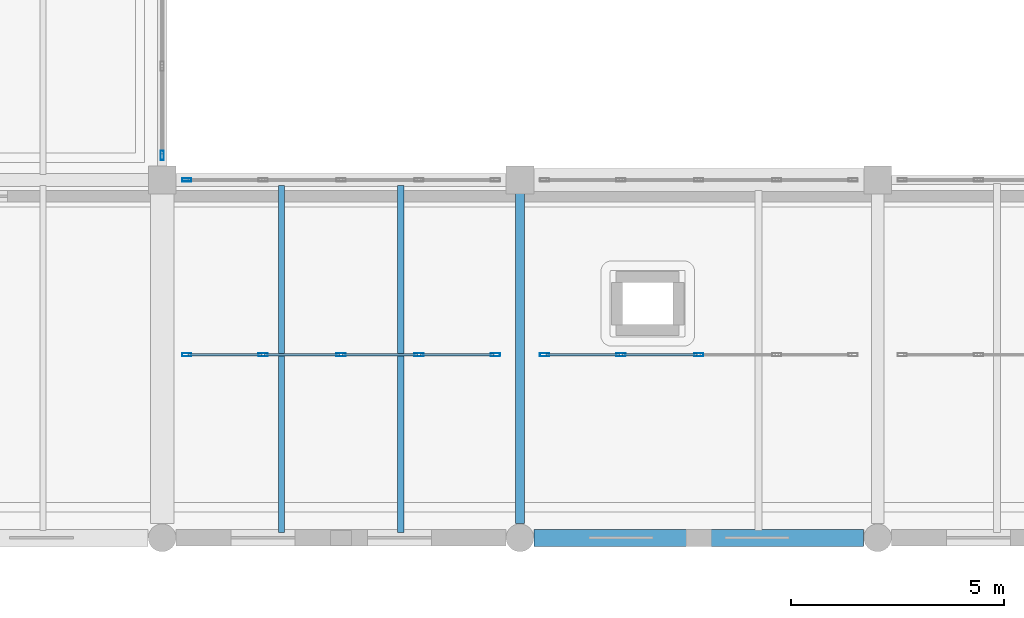
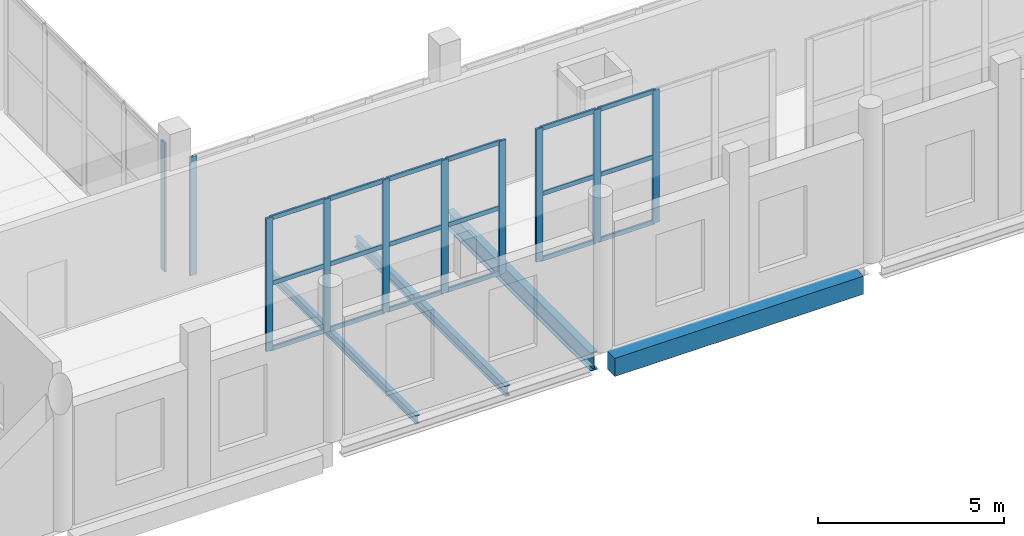
# One storey, part 17 of 73: 28 members, 4 beams, 4 elements without a shape of their own.
"""IFC4 building model written with IfcOpenShell, lengths in metres."""

from ifc_helpers import new_model, si_unit, direction, frame, origin, origin_2d, place, context, subcontext, project, spatial, rectangle, hollow_rectangle, i_section, extrude, material, layer, layer_set, material_profile, profile_set, type_object, element, aggregate, save


model = new_model("IFC4")

# Units and contexts
model_context = context("Model", 3, precision=1e-05, world=origin(), true_north=direction((0.0, 1.0)))
body_context = subcontext(model_context, "Body", "Model", "MODEL_VIEW")
ifc_project = project(units=[si_unit("LENGTHUNIT", "METRE"), si_unit("AREAUNIT", "SQUARE_METRE"), si_unit("VOLUMEUNIT", "CUBIC_METRE"), si_unit("PLANEANGLEUNIT", "RADIAN"), si_unit("MASSUNIT", "GRAM", prefix="KILO")], contexts=[model_context])

# Site, building, storey
site_placement = place(None, origin())
site = spatial("IfcSite", under=ifc_project, at=site_placement, CompositionType="ELEMENT")
building_placement = place(site_placement, origin())
building = spatial("IfcBuilding", under=site, at=building_placement, Name="Zulmaris Art Gallery", CompositionType="ELEMENT")
storey_placement = place(building_placement, frame((0.0, 0.0, 10.5)))
storey = spatial("IfcBuildingStorey", under=building, at=storey_placement, Name="L02", CompositionType="ELEMENT", Elevation=10.5)

# Beams
ifc_material_1 = material(Name="Steel S355J2", Category="steel")
ifc_material_profile_1 = material_profile(ifc_material_1, i_section(OverallWidth=0.219970703125, OverallDepth=0.60009765625, WebThickness=0.011962890625, FlangeThickness=0.01904296875, FilletRadius=0.02392578125, at=origin_2d()), Name="IPE 600")
ifc_profile_set_1 = profile_set([ifc_material_profile_1], Name="Steel S355J2")
beam_type_1 = type_object("IfcBeamType", Name="BEAM-BM07", PredefinedType="BEAM", material=ifc_profile_set_1)
beam_1_placement = place(storey_placement, frame((99.60009765625, 13.534912109375, -0.699951171875), z_axis=(0.0, 1.0, 0.0), x_axis=(-1.0, 0.0, 0.0)))
element("IfcBeam", 1, at=beam_1_placement, inside=storey, type_object=beam_type_1, Name="L02 Y-girder (x=99.6, 13.2..21.6)", PredefinedType="BEAM", context=body_context, shape_type="SweptSolid", body=[
    extrude(i_section(OverallWidth=0.219970703125, OverallDepth=0.60009765625, WebThickness=0.011962890625, FlangeThickness=0.01904296875, FilletRadius=0.02392578125, at=origin_2d()), origin(), (0.0, 0.0, 1.0), 7.755126953125),
])
ifc_material_profile_2 = material_profile(ifc_material_1, i_section(OverallWidth=0.135009765625, OverallDepth=0.27001953125, WebThickness=0.006591796875, FlangeThickness=0.01025390625, FilletRadius=0.014892578125, at=origin_2d()), Name="IPE 270")
ifc_profile_set_2 = profile_set([ifc_material_profile_2], Name="Steel S355J2")
beam_type_2 = type_object("IfcBeamType", Name="BEAM-JS02", PredefinedType="JOIST", material=ifc_profile_set_2)
beam_2_placement = place(storey_placement, frame((94.0, 13.324951171875, -0.534912109375), z_axis=(0.0, 1.0, 0.0), x_axis=(-1.0, 0.0, 0.0)))
element("IfcBeam", 2, at=beam_2_placement, inside=storey, type_object=beam_type_2, Name="L02 secondary joist at x=94.0", PredefinedType="JOIST", context=body_context, shape_type="SweptSolid", body=[
    extrude(i_section(OverallWidth=0.135009765625, OverallDepth=0.27001953125, WebThickness=0.006591796875, FlangeThickness=0.01025390625, FilletRadius=0.014892578125, at=origin_2d()), origin(), (0.0, 0.0, 1.0), 8.150146484375),
])
ifc_material_profile_3 = material_profile(ifc_material_1, i_section(OverallWidth=0.159912109375, OverallDepth=0.330078125, WebThickness=0.007568359375, FlangeThickness=0.011474609375, FilletRadius=0.01806640625, at=origin_2d()), Name="IPE 330")
ifc_profile_set_3 = profile_set([ifc_material_profile_3], Name="Steel S355J2")
beam_type_3 = type_object("IfcBeamType", Name="BEAM-JS03", PredefinedType="JOIST", material=ifc_profile_set_3)
beam_3_placement = place(storey_placement, frame((96.800048828125, 13.324951171875, -0.56494140625), z_axis=(0.0, 1.0, 0.0), x_axis=(-1.0, 0.0, 0.0)))
element("IfcBeam", 3, at=beam_3_placement, inside=storey, type_object=beam_type_3, Name="L02 secondary joist at x=96.8", PredefinedType="JOIST", context=body_context, shape_type="SweptSolid", body=[
    extrude(i_section(OverallWidth=0.159912109375, OverallDepth=0.330078125, WebThickness=0.007568359375, FlangeThickness=0.011474609375, FilletRadius=0.01806640625, at=origin_2d()), origin(), (0.0, 0.0, 1.0), 8.150146484375),
])
ifc_material_2 = material(Name="Concrete C40/50", Category="concrete")
ifc_material_profile_4 = material_profile(ifc_material_2, rectangle(XDim=0.39990234375, YDim=0.60009765625, at=origin_2d()), Name="RC 400x600")
ifc_profile_set_4 = profile_set([ifc_material_profile_4], Name="Concrete C40/50")
beam_type_4 = type_object("IfcBeamType", Name="BEAM-SP03", PredefinedType="SPANDREL", material=ifc_profile_set_4)
beam_4_placement = place(storey_placement, frame((99.93505859375, 13.199951171875, -0.699951171875), z_axis=(1.0, 0.0, 0.0), x_axis=(0.0, 1.0, 0.0)))
element("IfcBeam", 4, at=beam_4_placement, inside=storey, type_object=beam_type_4, Name="L02 X-girder (99.6..108.0, y=13.2)", PredefinedType="SPANDREL", context=body_context, shape_type="SweptSolid", body=[
    extrude(rectangle(XDim=0.39990234375, YDim=0.60009765625, at=origin_2d()), origin(), (0.0, 0.0, 1.0), 7.72998046875),
])

# Curtain wall, members
ifc_material_3 = material(Name="Cloister & Court Glazed Curtain Wall", Category="aluminium")
ifc_layer = layer(ifc_material_3, 0.179931640625)
ifc_layer_set = layer_set([ifc_layer], Name="Cloister & Court Glazed Curtain Wall")
curtain_wall_type = type_object("IfcCurtainWallType", Name="CW-CW03", PredefinedType="NOTDEFINED", material=ifc_layer_set)
curtain_wall_1_placement = place(storey_placement, origin())
curtain_wall_1 = element("IfcCurtainWall", 5, at=curtain_wall_1_placement, inside=storey, type_object=curtain_wall_type, Name="L02 curtain wall 62", PredefinedType="NOTDEFINED")
ifc_material_4 = material(Name="Anodised Bronze Aluminium", Category="aluminium")
ifc_material_profile_5 = material_profile(ifc_material_4, hollow_rectangle(XDim=0.074951171875, YDim=0.219970703125, WallThickness=0.0048828125, InnerFilletRadius=0.007568359375, OuterFilletRadius=0.012451171875, at=origin_2d()), Name="ALU 75x220x5")
ifc_profile_set_5 = profile_set([ifc_material_profile_5], Name="Anodised Bronze Aluminium")
member_type_1 = type_object("IfcMemberType", Name="CWMUL-02", PredefinedType="MULLION", material=ifc_profile_set_5)
member_1_placement = place(storey_placement, frame((91.777587890625, 17.5, 0.0), z_axis=(0.0, 0.0, 1.0), x_axis=(0.0, 1.0, 0.0)))
member_1 = element("IfcMember", 6, at=member_1_placement, type_object=member_type_1, Name="CW03 mullion 1", PredefinedType="MULLION", context=body_context, shape_type="SweptSolid", body=[
    extrude(hollow_rectangle(XDim=0.074951171875, YDim=0.219970703125, WallThickness=0.0048828125, InnerFilletRadius=0.007568359375, OuterFilletRadius=0.012451171875, at=origin_2d()), origin(), (0.0, 0.0, 1.0), 4.3701171875),
])
member_2_placement = place(storey_placement, frame((93.570068359375, 17.5, 0.0), z_axis=(0.0, 0.0, 1.0), x_axis=(0.0, 1.0, 0.0)))
member_2 = element("IfcMember", 7, at=member_2_placement, type_object=member_type_1, Name="CW03 mullion 2", PredefinedType="MULLION", context=body_context, shape_type="SweptSolid", body=[
    extrude(hollow_rectangle(XDim=0.074951171875, YDim=0.219970703125, WallThickness=0.0048828125, InnerFilletRadius=0.007568359375, OuterFilletRadius=0.012451171875, at=origin_2d()), origin(), (0.0, 0.0, 1.0), 4.3701171875),
])
member_3_placement = place(storey_placement, frame((95.39990234375, 17.5, 0.0), z_axis=(0.0, 0.0, 1.0), x_axis=(0.0, 1.0, 0.0)))
member_3 = element("IfcMember", 8, at=member_3_placement, type_object=member_type_1, Name="CW03 mullion 3", PredefinedType="MULLION", context=body_context, shape_type="SweptSolid", body=[
    extrude(hollow_rectangle(XDim=0.074951171875, YDim=0.219970703125, WallThickness=0.0048828125, InnerFilletRadius=0.007568359375, OuterFilletRadius=0.012451171875, at=origin_2d()), origin(), (0.0, 0.0, 1.0), 4.3701171875),
])
member_4_placement = place(storey_placement, frame((97.22998046875, 17.5, 0.0), z_axis=(0.0, 0.0, 1.0), x_axis=(0.0, 1.0, 0.0)))
member_4 = element("IfcMember", 9, at=member_4_placement, type_object=member_type_1, Name="CW03 mullion 4", PredefinedType="MULLION", context=body_context, shape_type="SweptSolid", body=[
    extrude(hollow_rectangle(XDim=0.074951171875, YDim=0.219970703125, WallThickness=0.0048828125, InnerFilletRadius=0.007568359375, OuterFilletRadius=0.012451171875, at=origin_2d()), origin(), (0.0, 0.0, 1.0), 4.3701171875),
])
member_5_placement = place(storey_placement, frame((99.0224609375, 17.5, 0.0), z_axis=(0.0, 0.0, 1.0), x_axis=(0.0, 1.0, 0.0)))
member_5 = element("IfcMember", 10, at=member_5_placement, type_object=member_type_1, Name="CW03 mullion 5", PredefinedType="MULLION", context=body_context, shape_type="SweptSolid", body=[
    extrude(hollow_rectangle(XDim=0.074951171875, YDim=0.219970703125, WallThickness=0.0048828125, InnerFilletRadius=0.007568359375, OuterFilletRadius=0.012451171875, at=origin_2d()), origin(), (0.0, 0.0, 1.0), 4.3701171875),
])

curtain_wall_2_placement = place(storey_placement, origin())
curtain_wall_2 = element("IfcCurtainWall", 11, at=curtain_wall_2_placement, inside=storey, type_object=curtain_wall_type, Name="L02 curtain wall 63", PredefinedType="NOTDEFINED")
member_6_placement = place(storey_placement, frame((100.177490234375, 17.5, 0.0), z_axis=(0.0, 0.0, 1.0), x_axis=(0.0, 1.0, 0.0)))
member_6 = element("IfcMember", 12, at=member_6_placement, type_object=member_type_1, Name="CW03 mullion 1", PredefinedType="MULLION", context=body_context, shape_type="SweptSolid", body=[
    extrude(hollow_rectangle(XDim=0.074951171875, YDim=0.219970703125, WallThickness=0.0048828125, InnerFilletRadius=0.007568359375, OuterFilletRadius=0.012451171875, at=origin_2d()), origin(), (0.0, 0.0, 1.0), 4.3701171875),
])
member_7_placement = place(storey_placement, frame((101.969970703125, 17.5, 0.0), z_axis=(0.0, 0.0, 1.0), x_axis=(0.0, 1.0, 0.0)))
member_7 = element("IfcMember", 13, at=member_7_placement, type_object=member_type_1, Name="CW03 mullion 2", PredefinedType="MULLION", context=body_context, shape_type="SweptSolid", body=[
    extrude(hollow_rectangle(XDim=0.074951171875, YDim=0.219970703125, WallThickness=0.0048828125, InnerFilletRadius=0.007568359375, OuterFilletRadius=0.012451171875, at=origin_2d()), origin(), (0.0, 0.0, 1.0), 4.3701171875),
])
member_8_placement = place(storey_placement, frame((103.800048828125, 17.5, 0.0), z_axis=(0.0, 0.0, 1.0), x_axis=(0.0, 1.0, 0.0)))
member_8 = element("IfcMember", 14, at=member_8_placement, type_object=member_type_1, Name="CW03 mullion 3", PredefinedType="MULLION", context=body_context, shape_type="SweptSolid", body=[
    extrude(hollow_rectangle(XDim=0.074951171875, YDim=0.219970703125, WallThickness=0.0048828125, InnerFilletRadius=0.007568359375, OuterFilletRadius=0.012451171875, at=origin_2d()), origin(), (0.0, 0.0, 1.0), 4.3701171875),
])

# Curtain wall, member
curtain_wall_3_placement = place(storey_placement, origin())
curtain_wall_3 = element("IfcCurtainWall", 15, at=curtain_wall_3_placement, inside=storey, type_object=curtain_wall_type, Name="L02 curtain wall 78", PredefinedType="NOTDEFINED")
member_9_placement = place(storey_placement, frame((91.199951171875, 22.177490234375, 0.0), z_axis=(0.0, 0.0, 1.0), x_axis=(1.0, 0.0, 0.0)))
member_9 = element("IfcMember", 16, at=member_9_placement, type_object=member_type_1, Name="CW03 mullion 5", PredefinedType="MULLION", context=body_context, shape_type="SweptSolid", body=[
    extrude(hollow_rectangle(XDim=0.074951171875, YDim=0.219970703125, WallThickness=0.0048828125, InnerFilletRadius=0.007568359375, OuterFilletRadius=0.012451171875, at=origin_2d()), origin(), (0.0, 0.0, 1.0), 4.22998046875),
])
aggregate(curtain_wall_3, [member_9])

curtain_wall_4_placement = place(storey_placement, origin())
curtain_wall_4 = element("IfcCurtainWall", 17, at=curtain_wall_4_placement, inside=storey, type_object=curtain_wall_type, Name="L02 curtain wall 193", PredefinedType="NOTDEFINED")
member_10_placement = place(storey_placement, frame((91.777587890625, 21.60009765625, 0.0), z_axis=(0.0, 0.0, 1.0), x_axis=(0.0, 1.0, 0.0)))
member_10 = element("IfcMember", 18, at=member_10_placement, type_object=member_type_1, Name="CW03 mullion 1", PredefinedType="MULLION", context=body_context, shape_type="SweptSolid", body=[
    extrude(hollow_rectangle(XDim=0.074951171875, YDim=0.219970703125, WallThickness=0.0048828125, InnerFilletRadius=0.007568359375, OuterFilletRadius=0.012451171875, at=origin_2d()), origin(), (0.0, 0.0, 1.0), 3.89990234375),
])
aggregate(curtain_wall_4, [member_10])

# Member
ifc_material_profile_6 = material_profile(ifc_material_4, hollow_rectangle(XDim=0.06494140625, YDim=0.14990234375, WallThickness=0.00390625, InnerFilletRadius=0.006103515625, OuterFilletRadius=0.010009765625, at=origin_2d()), Name="ALU 65x150x4")
ifc_profile_set_6 = profile_set([ifc_material_profile_6], Name="Anodised Bronze Aluminium")
member_type_2 = type_object("IfcMemberType", Name="CWTRN-01", PredefinedType="USERDEFINED", material=ifc_profile_set_6)
member_11_placement = place(storey_placement, frame((91.81494140625, 17.5, 0.03759765625), z_axis=(1.0, 0.0, 0.0), x_axis=(0.0, 1.0, 0.0)))
member_11 = element("IfcMember", 19, at=member_11_placement, type_object=member_type_2, Name="CW03 transom 1.1", ObjectType="TRANSOM", PredefinedType="USERDEFINED", context=body_context, shape_type="SweptSolid", body=[
    extrude(hollow_rectangle(XDim=0.06494140625, YDim=0.14990234375, WallThickness=0.00390625, InnerFilletRadius=0.006103515625, OuterFilletRadius=0.010009765625, at=origin_2d()), origin(), (0.0, 0.0, 1.0), 1.717529296875),
])

member_12_placement = place(storey_placement, frame((91.81494140625, 17.5, 2.18505859375), z_axis=(1.0, 0.0, 0.0), x_axis=(0.0, 1.0, 0.0)))
member_12 = element("IfcMember", 20, at=member_12_placement, type_object=member_type_2, Name="CW03 transom 1.2", ObjectType="TRANSOM", PredefinedType="USERDEFINED", context=body_context, shape_type="SweptSolid", body=[
    extrude(hollow_rectangle(XDim=0.06494140625, YDim=0.14990234375, WallThickness=0.00390625, InnerFilletRadius=0.006103515625, OuterFilletRadius=0.010009765625, at=origin_2d()), origin(), (0.0, 0.0, 1.0), 1.717529296875),
])

member_13_placement = place(storey_placement, frame((91.81494140625, 17.5, 4.33251953125), z_axis=(1.0, 0.0, 0.0), x_axis=(0.0, 1.0, 0.0)))
member_13 = element("IfcMember", 21, at=member_13_placement, type_object=member_type_2, Name="CW03 transom 1.3", ObjectType="TRANSOM", PredefinedType="USERDEFINED", context=body_context, shape_type="SweptSolid", body=[
    extrude(hollow_rectangle(XDim=0.06494140625, YDim=0.14990234375, WallThickness=0.00390625, InnerFilletRadius=0.006103515625, OuterFilletRadius=0.010009765625, at=origin_2d()), origin(), (0.0, 0.0, 1.0), 1.717529296875),
])

member_14_placement = place(storey_placement, frame((93.607421875, 17.5, 0.03759765625), z_axis=(1.0, 0.0, 0.0), x_axis=(0.0, 1.0, 0.0)))
member_14 = element("IfcMember", 22, at=member_14_placement, type_object=member_type_2, Name="CW03 transom 2.1", ObjectType="TRANSOM", PredefinedType="USERDEFINED", context=body_context, shape_type="SweptSolid", body=[
    extrude(hollow_rectangle(XDim=0.06494140625, YDim=0.14990234375, WallThickness=0.00390625, InnerFilletRadius=0.006103515625, OuterFilletRadius=0.010009765625, at=origin_2d()), origin(), (0.0, 0.0, 1.0), 1.755126953125),
])

member_15_placement = place(storey_placement, frame((93.607421875, 17.5, 2.18505859375), z_axis=(1.0, 0.0, 0.0), x_axis=(0.0, 1.0, 0.0)))
member_15 = element("IfcMember", 23, at=member_15_placement, type_object=member_type_2, Name="CW03 transom 2.2", ObjectType="TRANSOM", PredefinedType="USERDEFINED", context=body_context, shape_type="SweptSolid", body=[
    extrude(hollow_rectangle(XDim=0.06494140625, YDim=0.14990234375, WallThickness=0.00390625, InnerFilletRadius=0.006103515625, OuterFilletRadius=0.010009765625, at=origin_2d()), origin(), (0.0, 0.0, 1.0), 1.755126953125),
])

member_16_placement = place(storey_placement, frame((93.607421875, 17.5, 4.33251953125), z_axis=(1.0, 0.0, 0.0), x_axis=(0.0, 1.0, 0.0)))
member_16 = element("IfcMember", 24, at=member_16_placement, type_object=member_type_2, Name="CW03 transom 2.3", ObjectType="TRANSOM", PredefinedType="USERDEFINED", context=body_context, shape_type="SweptSolid", body=[
    extrude(hollow_rectangle(XDim=0.06494140625, YDim=0.14990234375, WallThickness=0.00390625, InnerFilletRadius=0.006103515625, OuterFilletRadius=0.010009765625, at=origin_2d()), origin(), (0.0, 0.0, 1.0), 1.755126953125),
])

member_17_placement = place(storey_placement, frame((95.4375, 17.5, 0.03759765625), z_axis=(1.0, 0.0, 0.0), x_axis=(0.0, 1.0, 0.0)))
member_17 = element("IfcMember", 25, at=member_17_placement, type_object=member_type_2, Name="CW03 transom 3.1", ObjectType="TRANSOM", PredefinedType="USERDEFINED", context=body_context, shape_type="SweptSolid", body=[
    extrude(hollow_rectangle(XDim=0.06494140625, YDim=0.14990234375, WallThickness=0.00390625, InnerFilletRadius=0.006103515625, OuterFilletRadius=0.010009765625, at=origin_2d()), origin(), (0.0, 0.0, 1.0), 1.7548828125),
])

member_18_placement = place(storey_placement, frame((95.4375, 17.5, 2.18505859375), z_axis=(1.0, 0.0, 0.0), x_axis=(0.0, 1.0, 0.0)))
member_18 = element("IfcMember", 26, at=member_18_placement, type_object=member_type_2, Name="CW03 transom 3.2", ObjectType="TRANSOM", PredefinedType="USERDEFINED", context=body_context, shape_type="SweptSolid", body=[
    extrude(hollow_rectangle(XDim=0.06494140625, YDim=0.14990234375, WallThickness=0.00390625, InnerFilletRadius=0.006103515625, OuterFilletRadius=0.010009765625, at=origin_2d()), origin(), (0.0, 0.0, 1.0), 1.7548828125),
])

member_19_placement = place(storey_placement, frame((95.4375, 17.5, 4.33251953125), z_axis=(1.0, 0.0, 0.0), x_axis=(0.0, 1.0, 0.0)))
member_19 = element("IfcMember", 27, at=member_19_placement, type_object=member_type_2, Name="CW03 transom 3.3", ObjectType="TRANSOM", PredefinedType="USERDEFINED", context=body_context, shape_type="SweptSolid", body=[
    extrude(hollow_rectangle(XDim=0.06494140625, YDim=0.14990234375, WallThickness=0.00390625, InnerFilletRadius=0.006103515625, OuterFilletRadius=0.010009765625, at=origin_2d()), origin(), (0.0, 0.0, 1.0), 1.7548828125),
])

member_20_placement = place(storey_placement, frame((97.267578125, 17.5, 0.03759765625), z_axis=(1.0, 0.0, 0.0), x_axis=(0.0, 1.0, 0.0)))
member_20 = element("IfcMember", 28, at=member_20_placement, type_object=member_type_2, Name="CW03 transom 4.1", ObjectType="TRANSOM", PredefinedType="USERDEFINED", context=body_context, shape_type="SweptSolid", body=[
    extrude(hollow_rectangle(XDim=0.06494140625, YDim=0.14990234375, WallThickness=0.00390625, InnerFilletRadius=0.006103515625, OuterFilletRadius=0.010009765625, at=origin_2d()), origin(), (0.0, 0.0, 1.0), 1.717529296875),
])

member_21_placement = place(storey_placement, frame((97.267578125, 17.5, 2.18505859375), z_axis=(1.0, 0.0, 0.0), x_axis=(0.0, 1.0, 0.0)))
member_21 = element("IfcMember", 29, at=member_21_placement, type_object=member_type_2, Name="CW03 transom 4.2", ObjectType="TRANSOM", PredefinedType="USERDEFINED", context=body_context, shape_type="SweptSolid", body=[
    extrude(hollow_rectangle(XDim=0.06494140625, YDim=0.14990234375, WallThickness=0.00390625, InnerFilletRadius=0.006103515625, OuterFilletRadius=0.010009765625, at=origin_2d()), origin(), (0.0, 0.0, 1.0), 1.717529296875),
])

member_22_placement = place(storey_placement, frame((97.267578125, 17.5, 4.33251953125), z_axis=(1.0, 0.0, 0.0), x_axis=(0.0, 1.0, 0.0)))
member_22 = element("IfcMember", 30, at=member_22_placement, type_object=member_type_2, Name="CW03 transom 4.3", ObjectType="TRANSOM", PredefinedType="USERDEFINED", context=body_context, shape_type="SweptSolid", body=[
    extrude(hollow_rectangle(XDim=0.06494140625, YDim=0.14990234375, WallThickness=0.00390625, InnerFilletRadius=0.006103515625, OuterFilletRadius=0.010009765625, at=origin_2d()), origin(), (0.0, 0.0, 1.0), 1.717529296875),
])

aggregate(curtain_wall_1, [member_1, member_2, member_3, member_4, member_5, member_11, member_12, member_13, member_14, member_15, member_16, member_17, member_18, member_19, member_20, member_21, member_22])

member_23_placement = place(storey_placement, frame((100.215087890625, 17.5, 0.03759765625), z_axis=(1.0, 0.0, 0.0), x_axis=(0.0, 1.0, 0.0)))
member_23 = element("IfcMember", 31, at=member_23_placement, type_object=member_type_2, Name="CW03 transom 1.1", ObjectType="TRANSOM", PredefinedType="USERDEFINED", context=body_context, shape_type="SweptSolid", body=[
    extrude(hollow_rectangle(XDim=0.06494140625, YDim=0.14990234375, WallThickness=0.00390625, InnerFilletRadius=0.006103515625, OuterFilletRadius=0.010009765625, at=origin_2d()), origin(), (0.0, 0.0, 1.0), 1.717529296875),
])

member_24_placement = place(storey_placement, frame((100.215087890625, 17.5, 2.18505859375), z_axis=(1.0, 0.0, 0.0), x_axis=(0.0, 1.0, 0.0)))
member_24 = element("IfcMember", 32, at=member_24_placement, type_object=member_type_2, Name="CW03 transom 1.2", ObjectType="TRANSOM", PredefinedType="USERDEFINED", context=body_context, shape_type="SweptSolid", body=[
    extrude(hollow_rectangle(XDim=0.06494140625, YDim=0.14990234375, WallThickness=0.00390625, InnerFilletRadius=0.006103515625, OuterFilletRadius=0.010009765625, at=origin_2d()), origin(), (0.0, 0.0, 1.0), 1.717529296875),
])

member_25_placement = place(storey_placement, frame((100.215087890625, 17.5, 4.33251953125), z_axis=(1.0, 0.0, 0.0), x_axis=(0.0, 1.0, 0.0)))
member_25 = element("IfcMember", 33, at=member_25_placement, type_object=member_type_2, Name="CW03 transom 1.3", ObjectType="TRANSOM", PredefinedType="USERDEFINED", context=body_context, shape_type="SweptSolid", body=[
    extrude(hollow_rectangle(XDim=0.06494140625, YDim=0.14990234375, WallThickness=0.00390625, InnerFilletRadius=0.006103515625, OuterFilletRadius=0.010009765625, at=origin_2d()), origin(), (0.0, 0.0, 1.0), 1.717529296875),
])

member_26_placement = place(storey_placement, frame((102.007568359375, 17.5, 0.03759765625), z_axis=(1.0, 0.0, 0.0), x_axis=(0.0, 1.0, 0.0)))
member_26 = element("IfcMember", 34, at=member_26_placement, type_object=member_type_2, Name="CW03 transom 2.1", ObjectType="TRANSOM", PredefinedType="USERDEFINED", context=body_context, shape_type="SweptSolid", body=[
    extrude(hollow_rectangle(XDim=0.06494140625, YDim=0.14990234375, WallThickness=0.00390625, InnerFilletRadius=0.006103515625, OuterFilletRadius=0.010009765625, at=origin_2d()), origin(), (0.0, 0.0, 1.0), 1.7548828125),
])

member_27_placement = place(storey_placement, frame((102.007568359375, 17.5, 2.18505859375), z_axis=(1.0, 0.0, 0.0), x_axis=(0.0, 1.0, 0.0)))
member_27 = element("IfcMember", 35, at=member_27_placement, type_object=member_type_2, Name="CW03 transom 2.2", ObjectType="TRANSOM", PredefinedType="USERDEFINED", context=body_context, shape_type="SweptSolid", body=[
    extrude(hollow_rectangle(XDim=0.06494140625, YDim=0.14990234375, WallThickness=0.00390625, InnerFilletRadius=0.006103515625, OuterFilletRadius=0.010009765625, at=origin_2d()), origin(), (0.0, 0.0, 1.0), 1.7548828125),
])

member_28_placement = place(storey_placement, frame((102.007568359375, 17.5, 4.33251953125), z_axis=(1.0, 0.0, 0.0), x_axis=(0.0, 1.0, 0.0)))
member_28 = element("IfcMember", 36, at=member_28_placement, type_object=member_type_2, Name="CW03 transom 2.3", ObjectType="TRANSOM", PredefinedType="USERDEFINED", context=body_context, shape_type="SweptSolid", body=[
    extrude(hollow_rectangle(XDim=0.06494140625, YDim=0.14990234375, WallThickness=0.00390625, InnerFilletRadius=0.006103515625, OuterFilletRadius=0.010009765625, at=origin_2d()), origin(), (0.0, 0.0, 1.0), 1.7548828125),
])

aggregate(curtain_wall_2, [member_6, member_7, member_8, member_23, member_24, member_25, member_26, member_27, member_28])

save(model, "model.ifc")
